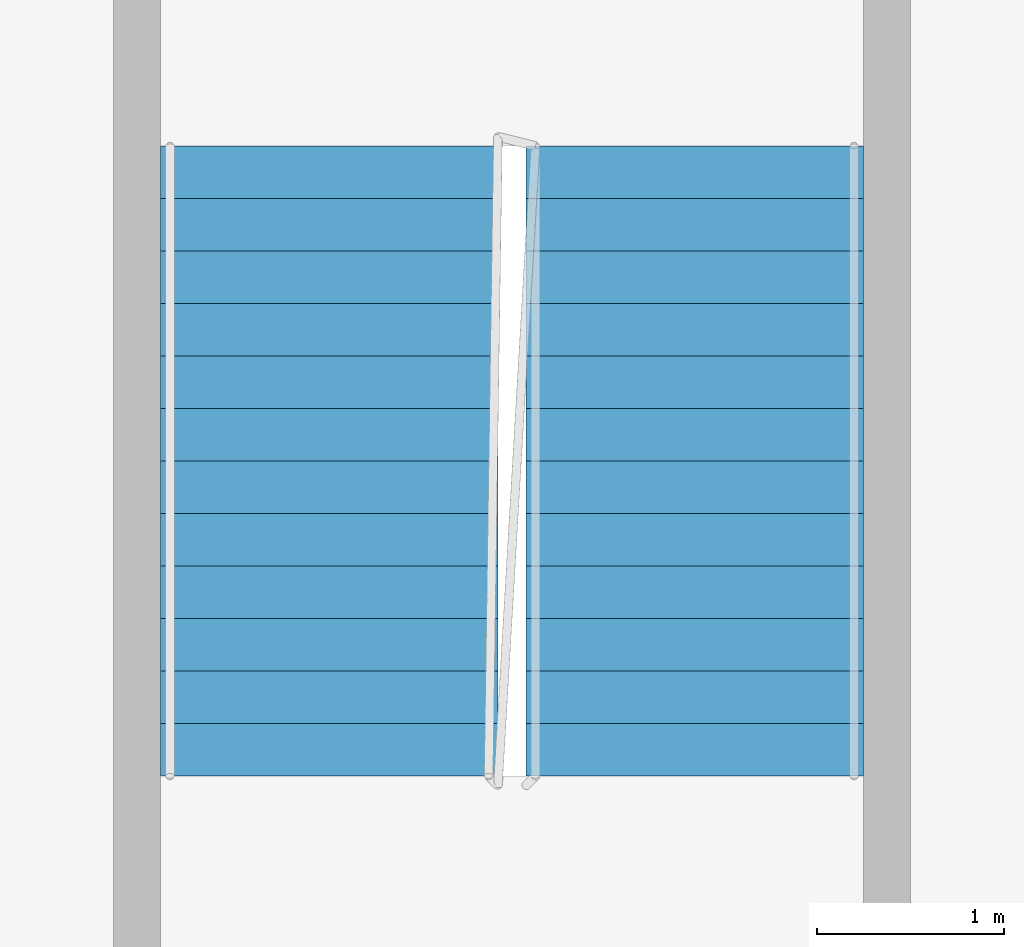
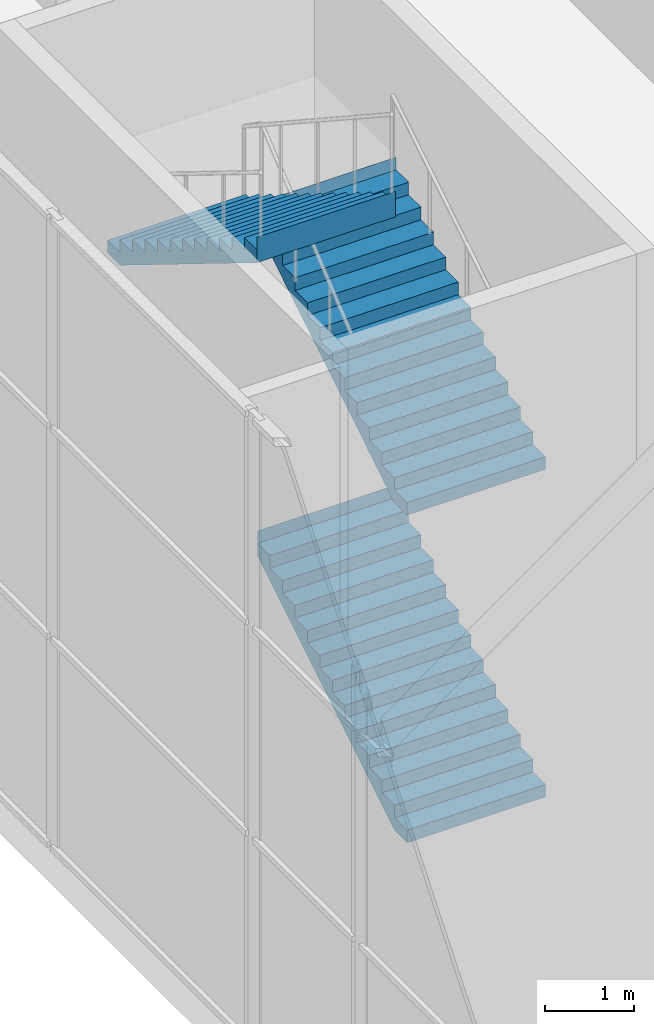
# One storey, part 16 of 24: 3 stair flights, 1 element without a shape of its own.
"""IFC4 building model written with IfcOpenShell, lengths in metres."""

import ifcopenshell
import ifcopenshell.guid

model = None  # the IFC model being written
_history = None  # IfcOwnerHistory: only IFC2X3 demands one
_inside = {}  # id of a spatial element -> (the spatial element, [elements in it])
_under = {}  # id of a project, library or spatial element -> (it, [spatial elements below it])
_declared = {}  # id of a project -> (the project, [libraries it declares])
_typed = {}  # id of a type object -> (the type object, [elements of that type])
_made_of = {}  # id of a material, layer set ... -> (it, [elements and type objects made of it])


def new_model(schema):
    """Start an empty IFC model of exactly this schema.

    Asked for "IFC4X3", IfcOpenShell would pick the latest addendum, in which some entities
    have other attributes; the version numbers below select the first issue.
    IFC2X3 requires an IfcOwnerHistory on every rooted entity: one is made here for all.
    """
    global model, _history
    if schema == "IFC4X3":
        model = ifcopenshell.file(schema_version=(4, 3, 0, 0))
    else:
        model = ifcopenshell.file(schema=schema)
    _inside.clear()
    _under.clear()
    _declared.clear()
    _typed.clear()
    _made_of.clear()
    _history = None
    if model.schema == "IFC2X3":
        org = make("IfcOrganization", Name="unknown")
        user = make(
            "IfcPersonAndOrganization",
            ThePerson=make("IfcPerson", FamilyName="unknown"),
            TheOrganization=org,
        )
        app = make(
            "IfcApplication",
            ApplicationDeveloper=org,
            Version="unknown",
            ApplicationFullName="unknown",
            ApplicationIdentifier="unknown",
        )
        _history = make(
            "IfcOwnerHistory",
            OwningUser=user,
            OwningApplication=app,
            ChangeAction="ADDED",
            CreationDate=0,
        )
    return model


def make(cls, **values):
    """One entity of the class cls with the attributes given. An attribute that is None is left unset."""
    return model.create_entity(
        cls, **{name: value for name, value in values.items() if value is not None}
    )


def rooted(cls, **values):
    """An entity with a GlobalId (a new one), such as an element, a storey or a relation."""
    return make(cls, GlobalId=ifcopenshell.guid.new(), OwnerHistory=_history, **values)


def si_unit(unit_type, name, prefix=None):
    """IfcSIUnit, for example si_unit("LENGTHUNIT", "METRE", prefix="MILLI")."""
    return make("IfcSIUnit", UnitType=unit_type, Prefix=prefix, Name=name)


def assignment(units):
    """IfcUnitAssignment: the units of a project."""
    return None if units is None else make("IfcUnitAssignment", Units=units)


def point(xyz):
    """IfcCartesianPoint."""
    return None if xyz is None else make("IfcCartesianPoint", Coordinates=xyz)


def direction(xyz):
    """IfcDirection."""
    return None if xyz is None else make("IfcDirection", DirectionRatios=xyz)


def frame(location, z_axis=None, x_axis=None):
    """IfcAxis2Placement3D, a coordinate frame: its origin and axes. An axis left out is left unset."""
    return make(
        "IfcAxis2Placement3D",
        Location=point(location),
        Axis=direction(z_axis),
        RefDirection=direction(x_axis),
    )


def origin():
    """The frame at (0, 0, 0) with its axes left unset."""
    return frame((0.0, 0.0, 0.0))


def place(relative_to, where):
    """IfcLocalPlacement: puts the frame where relative to a parent placement (None: the world)."""
    return make(
        "IfcLocalPlacement", PlacementRelTo=relative_to, RelativePlacement=where
    )


def context(
    kind, dimensions, precision=None, world=None, true_north=None, identifier=None
):
    """IfcGeometricRepresentationContext, for example the 3D "Model" context."""
    return make(
        "IfcGeometricRepresentationContext",
        ContextIdentifier=identifier,
        ContextType=kind,
        CoordinateSpaceDimension=dimensions,
        Precision=precision,
        WorldCoordinateSystem=world,
        TrueNorth=true_north,
    )


def subcontext(parent, identifier, kind, view, scale=None):
    """IfcGeometricRepresentationSubContext, for example "Body" below "Model"."""
    return make(
        "IfcGeometricRepresentationSubContext",
        ContextIdentifier=identifier,
        ContextType=kind,
        ParentContext=parent,
        TargetScale=scale,
        TargetView=view,
    )


def project(units=None, contexts=None):
    """IfcProject with its units and contexts."""
    return rooted(
        "IfcProject",
        Name="project",
        RepresentationContexts=contexts,
        UnitsInContext=assignment(units),
    )


def spatial(cls, under=None, at=None, **own):
    """A site, building, storey or space (cls), placed at a placement, below another one or the project."""
    s = rooted(cls, ObjectPlacement=at, **own)
    if under is not None:
        _under.setdefault(under.id(), (under, []))[1].append(s)
    return s


def faces_of(points, faces, orient=None, outer=None):
    """IfcFace entities. A face is a list of loops; a loop is a list of indices into points, from 0.

    orient and outer hold one flag for each loop. By default every Orientation is true, the
    first loop of a face is its IfcFaceOuterBound and the others are IfcFaceBound.
    """
    made = []
    for i, loops in enumerate(faces):
        bounds = []
        for j, loop in enumerate(loops):
            is_outer = j == 0 if outer is None else outer[i][j]
            bounds.append(
                make(
                    "IfcFaceOuterBound" if is_outer else "IfcFaceBound",
                    Bound=make("IfcPolyLoop", Polygon=[points[k] for k in loop]),
                    Orientation=True if orient is None else orient[i][j],
                )
            )
        made.append(make("IfcFace", Bounds=bounds))
    return made


def faceted_brep(points, faces, orient=None, outer=None, voids=None):
    """IfcFacetedBrep: a solid bounded by flat faces; with voids (closed shells), ...WithVoids."""
    shared = [point(p) for p in points]
    hull = make("IfcClosedShell", CfsFaces=faces_of(shared, faces, orient, outer))
    if voids is None:
        return make("IfcFacetedBrep", Outer=hull)
    return make(
        "IfcFacetedBrepWithVoids",
        Outer=hull,
        Voids=[
            make(cls, CfsFaces=faces_of(shared, fs, o, b)) for cls, fs, o, b in voids
        ],
    )


def shape(context_of_items, identifier, shape_type, items):
    """IfcShapeRepresentation: the items that make up one representation, for example the "Body"."""
    return make(
        "IfcShapeRepresentation",
        ContextOfItems=context_of_items,
        RepresentationIdentifier=identifier,
        RepresentationType=shape_type,
        Items=items,
    )


def material(Name=None, Category=None):
    """IfcMaterial."""
    return make("IfcMaterial", Name=Name, Category=Category)


def made_of(thing, what):
    """Note that an element or type object is made of a material, layer set ...; save() writes the relation."""
    if what is not None:
        _made_of.setdefault(what.id(), (what, []))[1].append(thing)
    return thing


def type_object(cls, material=None, **own):
    """A type object (cls), such as IfcWallType, which elements share."""
    return made_of(rooted(cls, **own), material)


def element(
    cls,
    number,
    at=None,
    inside=None,
    cuts=None,
    type_object=None,
    material=None,
    context=None,
    identifier="Body",
    shape_type=None,
    held_by="IfcProductDefinitionShape",
    body=None,
    shapes=None,
    **own,
):
    """One element of the class cls, such as IfcWall. Its Tag is "e" and its number.

    at: its placement. inside: the storey or other place that contains it. cuts: it is an
    opening in that element (IfcRelVoidsElement). A single representation is given by context,
    identifier, shape_type and body (its items); several are given by shapes. held_by: the class
    of the entity that holds the representations. save() writes the other relations.
    """
    e = rooted(cls, Tag="e%d" % number, ObjectPlacement=at, **own)
    if body is not None:
        shapes = [shape(context, identifier, shape_type, body)]
    if shapes is not None:
        e.Representation = make(held_by, Representations=shapes)
    if inside is not None:
        _inside.setdefault(inside.id(), (inside, []))[1].append(e)
    if cuts is not None:
        rooted(
            "IfcRelVoidsElement", RelatingBuildingElement=cuts, RelatedOpeningElement=e
        )
    if type_object is not None:
        _typed.setdefault(type_object.id(), (type_object, []))[1].append(e)
    return made_of(e, material)


def aggregate(whole, parts):
    """IfcRelAggregates: a whole, such as a stair, and the parts it consists of."""
    return rooted("IfcRelAggregates", RelatingObject=whole, RelatedObjects=parts)


def save(model, path):
    """Write the relations noted so far, then the file.

    IfcRelAggregates (storeys below a building ...), IfcRelContainedInSpatialStructure (elements
    in a storey), IfcRelDefinesByType, IfcRelAssociatesMaterial and IfcRelDeclares: one each for
    every whole, place, type object, material and project.
    """
    for whole, parts in _under.values():
        aggregate(whole, parts)
    for where, things in _inside.values():
        rooted(
            "IfcRelContainedInSpatialStructure",
            RelatedElements=things,
            RelatingStructure=where,
        )
    for kind, things in _typed.values():
        rooted("IfcRelDefinesByType", RelatedObjects=things, RelatingType=kind)
    for what, things in _made_of.values():
        rooted("IfcRelAssociatesMaterial", RelatedObjects=things, RelatingMaterial=what)
    for by, libraries in _declared.values():
        rooted("IfcRelDeclares", RelatingContext=by, RelatedDefinitions=libraries)
    model.write(path)


model = new_model("IFC4")

# Units and contexts
model_context = context("Model", 3, precision=1e-05, world=origin(), true_north=direction((0.0, 1.0)))
body_context = subcontext(model_context, "Body", "Model", "MODEL_VIEW")
ifc_project = project(units=[si_unit("LENGTHUNIT", "METRE"), si_unit("AREAUNIT", "SQUARE_METRE"), si_unit("VOLUMEUNIT", "CUBIC_METRE"), si_unit("PLANEANGLEUNIT", "RADIAN"), si_unit("MASSUNIT", "GRAM", prefix="KILO")], contexts=[model_context])

# Site, building, storey
site_placement = place(None, origin())
site = spatial("IfcSite", under=ifc_project, at=site_placement, CompositionType="ELEMENT")
building_placement = place(site_placement, origin())
building = spatial("IfcBuilding", under=site, at=building_placement, Name="Kajstack Hotel Tower", CompositionType="ELEMENT")
storey_placement = place(building_placement, frame((0.0, 0.0, 38.0)))
storey = spatial("IfcBuildingStorey", under=building, at=storey_placement, Name="L06", CompositionType="ELEMENT", Elevation=38.0)

# Stair, stair flights
ifc_material = material(Name="Concrete C40/50", Category="concrete")
stair_type = type_object("IfcStairType", Name="Escape stair 1800", PredefinedType="HALF_TURN_STAIR", material=ifc_material)
stair_placement = place(storey_placement, origin())
stair = element("IfcStair", 1, at=stair_placement, inside=storey, type_object=stair_type, Name="L06 stair P1", PredefinedType="HALF_TURN_STAIR")
stair_flight_type = type_object("IfcStairFlightType", Name="Escape stair flight 1800", PredefinedType="STRAIGHT", material=ifc_material)
stair_flight_1_placement = place(storey_placement, frame((-40.550048828125, 3.800048828125, 0.0), z_axis=(0.0, 0.0, 1.0), x_axis=(0.0, 1.0, 0.0)))
stair_flight_1 = element("IfcStairFlight", 2, at=stair_flight_1_placement, type_object=stair_flight_type, Name="P1 flight 1", NumberOfRisers=13, NumberOfTreads=12, PredefinedType="STRAIGHT", RiserHeight=0.173076923, TreadLength=0.28, context=body_context, shape_type="Brep", body=[
    faceted_brep([(0.28564453125, -0.89990234375, 0.0), (3.360595703125, -0.89990234375, 1.900634765625), (3.360595703125, -0.89990234375, 2.25), (3.360107421875, -0.89990234375, 2.25), (3.360107421875, -0.89990234375, 2.076904296875), (3.080078125, -0.89990234375, 2.076904296875), (3.080078125, -0.89990234375, 1.90380859375), (2.800048828125, -0.89990234375, 1.90380859375), (2.800048828125, -0.89990234375, 1.730712890625), (2.52001953125, -0.89990234375, 1.730712890625), (2.52001953125, -0.89990234375, 1.5576171875), (2.239990234375, -0.89990234375, 1.5576171875), (2.239990234375, -0.89990234375, 1.384521484375), (1.9599609375, -0.89990234375, 1.384521484375), (1.9599609375, -0.89990234375, 1.21142578125), (1.679931640625, -0.89990234375, 1.21142578125), (1.679931640625, -0.89990234375, 1.03857421875), (1.39990234375, -0.89990234375, 1.03857421875), (1.39990234375, -0.89990234375, 0.865478515625), (1.1201171875, -0.89990234375, 0.865478515625), (1.1201171875, -0.89990234375, 0.6923828125), (0.840087890625, -0.89990234375, 0.6923828125), (0.840087890625, -0.89990234375, 0.519287109375), (0.56005859375, -0.89990234375, 0.519287109375), (0.56005859375, -0.89990234375, 0.34619140625), (0.280029296875, -0.89990234375, 0.34619140625), (0.280029296875, -0.89990234375, 0.173095703125), (-0.00048828125, -0.89990234375, 0.173095703125), (-0.00048828125, -0.89990234375, 0.0), (-0.00048828125, 0.89990234375, 0.0), (-0.00048828125, 0.89990234375, 0.173095703125), (0.280029296875, 0.89990234375, 0.173095703125), (0.280029296875, 0.89990234375, 0.34619140625), (0.56005859375, 0.89990234375, 0.34619140625), (0.56005859375, 0.89990234375, 0.519287109375), (0.840087890625, 0.89990234375, 0.519287109375), (0.840087890625, 0.89990234375, 0.6923828125), (1.1201171875, 0.89990234375, 0.6923828125), (1.1201171875, 0.89990234375, 0.865478515625), (1.39990234375, 0.89990234375, 0.865478515625), (1.39990234375, 0.89990234375, 1.03857421875), (1.679931640625, 0.89990234375, 1.03857421875), (1.679931640625, 0.89990234375, 1.21142578125), (1.9599609375, 0.89990234375, 1.21142578125), (1.9599609375, 0.89990234375, 1.384521484375), (2.239990234375, 0.89990234375, 1.384521484375), (2.239990234375, 0.89990234375, 1.5576171875), (2.52001953125, 0.89990234375, 1.5576171875), (2.52001953125, 0.89990234375, 1.730712890625), (2.800048828125, 0.89990234375, 1.730712890625), (2.800048828125, 0.89990234375, 1.90380859375), (3.080078125, 0.89990234375, 1.90380859375), (3.080078125, 0.89990234375, 2.076904296875), (3.360107421875, 0.89990234375, 2.076904296875), (3.360107421875, 0.89990234375, 2.25), (3.360595703125, 0.89990234375, 2.25), (3.360595703125, 0.89990234375, 1.900634765625), (0.28564453125, 0.89990234375, 0.0), (-0.00048828125, -0.449951171875, 0.173095703125), (-0.00048828125, 0.0, 0.173095703125), (-0.00048828125, 0.449951171875, 0.173095703125), (-0.00048828125, 0.449951171875, 0.0), (-0.00048828125, 0.0, 0.0), (-0.00048828125, -0.449951171875, 0.0), (0.280029296875, -0.449951171875, 0.173095703125), (0.280029296875, 0.0, 0.173095703125), (0.280029296875, 0.449951171875, 0.173095703125), (0.280029296875, -0.449951171875, 0.34619140625), (0.280029296875, 0.0, 0.34619140625), (0.280029296875, 0.449951171875, 0.34619140625), (0.56005859375, -0.449951171875, 0.34619140625), (0.56005859375, 0.0, 0.34619140625), (0.56005859375, 0.449951171875, 0.34619140625), (0.56005859375, -0.449951171875, 0.519287109375), (0.56005859375, 0.0, 0.519287109375), (0.56005859375, 0.449951171875, 0.519287109375), (0.840087890625, -0.449951171875, 0.519287109375), (0.840087890625, 0.0, 0.519287109375), (0.840087890625, 0.449951171875, 0.519287109375), (0.840087890625, -0.449951171875, 0.6923828125), (0.840087890625, 0.0, 0.6923828125), (0.840087890625, 0.449951171875, 0.6923828125), (1.1201171875, -0.449951171875, 0.6923828125), (1.1201171875, 0.0, 0.6923828125), (1.1201171875, 0.449951171875, 0.6923828125), (1.1201171875, -0.449951171875, 0.865478515625), (1.1201171875, 0.0, 0.865478515625), (1.1201171875, 0.449951171875, 0.865478515625), (1.39990234375, -0.449951171875, 0.865478515625), (1.39990234375, 0.0, 0.865478515625), (1.39990234375, 0.449951171875, 0.865478515625), (1.39990234375, -0.449951171875, 1.03857421875), (1.39990234375, 0.0, 1.03857421875), (1.39990234375, 0.449951171875, 1.03857421875), (1.679931640625, -0.449951171875, 1.03857421875), (1.679931640625, 0.0, 1.03857421875), (1.679931640625, 0.449951171875, 1.03857421875), (1.679931640625, -0.449951171875, 1.21142578125), (1.679931640625, 0.0, 1.21142578125), (1.679931640625, 0.449951171875, 1.21142578125), (1.9599609375, -0.449951171875, 1.21142578125), (1.9599609375, 0.0, 1.21142578125), (1.9599609375, 0.449951171875, 1.21142578125), (1.9599609375, -0.449951171875, 1.384521484375), (1.9599609375, 0.0, 1.384521484375), (1.9599609375, 0.449951171875, 1.384521484375), (2.239990234375, -0.449951171875, 1.384521484375), (2.239990234375, 0.0, 1.384521484375), (2.239990234375, 0.449951171875, 1.384521484375), (2.239990234375, -0.449951171875, 1.5576171875), (2.239990234375, 0.0, 1.5576171875), (2.239990234375, 0.449951171875, 1.5576171875), (2.52001953125, -0.449951171875, 1.5576171875), (2.52001953125, 0.0, 1.5576171875), (2.52001953125, 0.449951171875, 1.5576171875), (2.52001953125, -0.449951171875, 1.730712890625), (2.52001953125, 0.0, 1.730712890625), (2.52001953125, 0.449951171875, 1.730712890625), (2.800048828125, -0.449951171875, 1.730712890625), (2.800048828125, 0.0, 1.730712890625), (2.800048828125, 0.449951171875, 1.730712890625), (2.800048828125, -0.449951171875, 1.90380859375), (2.800048828125, 0.0, 1.90380859375), (2.800048828125, 0.449951171875, 1.90380859375), (3.080078125, -0.449951171875, 1.90380859375), (3.080078125, 0.0, 1.90380859375), (3.080078125, 0.449951171875, 1.90380859375), (3.080078125, -0.449951171875, 2.076904296875), (3.080078125, 0.0, 2.076904296875), (3.080078125, 0.449951171875, 2.076904296875), (3.360107421875, -0.449951171875, 2.076904296875), (3.360107421875, 0.0, 2.076904296875), (3.360107421875, 0.449951171875, 2.076904296875), (3.360107421875, -0.449951171875, 2.25), (3.360107421875, 0.0, 2.25), (3.360107421875, 0.449951171875, 2.25), (3.360595703125, -0.449951171875, 2.25), (3.360595703125, 0.0, 2.25), (3.360595703125, 0.449951171875, 2.25), (3.360595703125, -0.449951171875, 1.900634765625), (3.360595703125, 0.0, 1.900634765625), (3.360595703125, 0.449951171875, 1.900634765625), (0.28564453125, -0.449951171875, 0.0), (0.28564453125, 0.0, 0.0), (0.28564453125, 0.449951171875, 0.0)], [[[0, 1, 2, 3, 4, 5, 6, 7, 8, 9, 10, 11, 12, 13, 14, 15, 16, 17, 18, 19, 20, 21, 22, 23, 24, 25, 26, 27, 28]], [[29, 30, 31, 32, 33, 34, 35, 36, 37, 38, 39, 40, 41, 42, 43, 44, 45, 46, 47, 48, 49, 50, 51, 52, 53, 54, 55, 56, 57]], [[27, 58, 59, 60, 30, 29, 61, 62, 63, 28]], [[26, 64, 65, 66, 31, 30, 60, 59, 58, 27]], [[25, 67, 68, 69, 32, 31, 66, 65, 64, 26]], [[24, 70, 71, 72, 33, 32, 69, 68, 67, 25]], [[23, 73, 74, 75, 34, 33, 72, 71, 70, 24]], [[22, 76, 77, 78, 35, 34, 75, 74, 73, 23]], [[21, 79, 80, 81, 36, 35, 78, 77, 76, 22]], [[20, 82, 83, 84, 37, 36, 81, 80, 79, 21]], [[19, 85, 86, 87, 38, 37, 84, 83, 82, 20]], [[18, 88, 89, 90, 39, 38, 87, 86, 85, 19]], [[17, 91, 92, 93, 40, 39, 90, 89, 88, 18]], [[16, 94, 95, 96, 41, 40, 93, 92, 91, 17]], [[15, 97, 98, 99, 42, 41, 96, 95, 94, 16]], [[14, 100, 101, 102, 43, 42, 99, 98, 97, 15]], [[13, 103, 104, 105, 44, 43, 102, 101, 100, 14]], [[12, 106, 107, 108, 45, 44, 105, 104, 103, 13]], [[11, 109, 110, 111, 46, 45, 108, 107, 106, 12]], [[10, 112, 113, 114, 47, 46, 111, 110, 109, 11]], [[9, 115, 116, 117, 48, 47, 114, 113, 112, 10]], [[8, 118, 119, 120, 49, 48, 117, 116, 115, 9]], [[7, 121, 122, 123, 50, 49, 120, 119, 118, 8]], [[6, 124, 125, 126, 51, 50, 123, 122, 121, 7]], [[5, 127, 128, 129, 52, 51, 126, 125, 124, 6]], [[4, 130, 131, 132, 53, 52, 129, 128, 127, 5]], [[3, 133, 134, 135, 54, 53, 132, 131, 130, 4]], [[2, 136, 137, 138, 55, 54, 135, 134, 133, 3]], [[1, 139, 140, 141, 56, 55, 138, 137, 136, 2]], [[0, 142, 143, 144, 57, 56, 141, 140, 139, 1]], [[28, 63, 62, 61, 29, 57, 144, 143, 142, 0]]]),
])
stair_flight_2_placement = place(storey_placement, frame((-40.550048828125, 3.800048828125, 4.5), z_axis=(0.0, 0.0, 1.0), x_axis=(0.0, 1.0, 0.0)))
stair_flight_2 = element("IfcStairFlight", 3, at=stair_flight_2_placement, type_object=stair_flight_type, Name="P1 flight 3", NumberOfRisers=13, NumberOfTreads=12, PredefinedType="STRAIGHT", RiserHeight=0.173076923, TreadLength=0.28, context=body_context, shape_type="Brep", body=[
    faceted_brep([(0.28564453125, -0.89990234375, 0.0), (3.360595703125, -0.89990234375, 1.900634765625), (3.360595703125, -0.89990234375, 2.25), (3.360107421875, -0.89990234375, 2.25), (3.360107421875, -0.89990234375, 2.076904296875), (3.080078125, -0.89990234375, 2.076904296875), (3.080078125, -0.89990234375, 1.90380859375), (2.800048828125, -0.89990234375, 1.90380859375), (2.800048828125, -0.89990234375, 1.730712890625), (2.52001953125, -0.89990234375, 1.730712890625), (2.52001953125, -0.89990234375, 1.5576171875), (2.239990234375, -0.89990234375, 1.5576171875), (2.239990234375, -0.89990234375, 1.384521484375), (1.9599609375, -0.89990234375, 1.384521484375), (1.9599609375, -0.89990234375, 1.21142578125), (1.679931640625, -0.89990234375, 1.21142578125), (1.679931640625, -0.89990234375, 1.03857421875), (1.39990234375, -0.89990234375, 1.03857421875), (1.39990234375, -0.89990234375, 0.865478515625), (1.1201171875, -0.89990234375, 0.865478515625), (1.1201171875, -0.89990234375, 0.6923828125), (0.840087890625, -0.89990234375, 0.6923828125), (0.840087890625, -0.89990234375, 0.519287109375), (0.56005859375, -0.89990234375, 0.519287109375), (0.56005859375, -0.89990234375, 0.34619140625), (0.280029296875, -0.89990234375, 0.34619140625), (0.280029296875, -0.89990234375, 0.173095703125), (-0.00048828125, -0.89990234375, 0.173095703125), (-0.00048828125, -0.89990234375, 0.0), (-0.00048828125, 0.89990234375, 0.0), (-0.00048828125, 0.89990234375, 0.173095703125), (0.280029296875, 0.89990234375, 0.173095703125), (0.280029296875, 0.89990234375, 0.34619140625), (0.56005859375, 0.89990234375, 0.34619140625), (0.56005859375, 0.89990234375, 0.519287109375), (0.840087890625, 0.89990234375, 0.519287109375), (0.840087890625, 0.89990234375, 0.6923828125), (1.1201171875, 0.89990234375, 0.6923828125), (1.1201171875, 0.89990234375, 0.865478515625), (1.39990234375, 0.89990234375, 0.865478515625), (1.39990234375, 0.89990234375, 1.03857421875), (1.679931640625, 0.89990234375, 1.03857421875), (1.679931640625, 0.89990234375, 1.21142578125), (1.9599609375, 0.89990234375, 1.21142578125), (1.9599609375, 0.89990234375, 1.384521484375), (2.239990234375, 0.89990234375, 1.384521484375), (2.239990234375, 0.89990234375, 1.5576171875), (2.52001953125, 0.89990234375, 1.5576171875), (2.52001953125, 0.89990234375, 1.730712890625), (2.800048828125, 0.89990234375, 1.730712890625), (2.800048828125, 0.89990234375, 1.90380859375), (3.080078125, 0.89990234375, 1.90380859375), (3.080078125, 0.89990234375, 2.076904296875), (3.360107421875, 0.89990234375, 2.076904296875), (3.360107421875, 0.89990234375, 2.25), (3.360595703125, 0.89990234375, 2.25), (3.360595703125, 0.89990234375, 1.900634765625), (0.28564453125, 0.89990234375, 0.0), (-0.00048828125, -0.449951171875, 0.173095703125), (-0.00048828125, 0.0, 0.173095703125), (-0.00048828125, 0.449951171875, 0.173095703125), (-0.00048828125, 0.449951171875, 0.0), (-0.00048828125, 0.0, 0.0), (-0.00048828125, -0.449951171875, 0.0), (0.280029296875, -0.449951171875, 0.173095703125), (0.280029296875, 0.0, 0.173095703125), (0.280029296875, 0.449951171875, 0.173095703125), (0.280029296875, -0.449951171875, 0.34619140625), (0.280029296875, 0.0, 0.34619140625), (0.280029296875, 0.449951171875, 0.34619140625), (0.56005859375, -0.449951171875, 0.34619140625), (0.56005859375, 0.0, 0.34619140625), (0.56005859375, 0.449951171875, 0.34619140625), (0.56005859375, -0.449951171875, 0.519287109375), (0.56005859375, 0.0, 0.519287109375), (0.56005859375, 0.449951171875, 0.519287109375), (0.840087890625, -0.449951171875, 0.519287109375), (0.840087890625, 0.0, 0.519287109375), (0.840087890625, 0.449951171875, 0.519287109375), (0.840087890625, -0.449951171875, 0.6923828125), (0.840087890625, 0.0, 0.6923828125), (0.840087890625, 0.449951171875, 0.6923828125), (1.1201171875, -0.449951171875, 0.6923828125), (1.1201171875, 0.0, 0.6923828125), (1.1201171875, 0.449951171875, 0.6923828125), (1.1201171875, -0.449951171875, 0.865478515625), (1.1201171875, 0.0, 0.865478515625), (1.1201171875, 0.449951171875, 0.865478515625), (1.39990234375, -0.449951171875, 0.865478515625), (1.39990234375, 0.0, 0.865478515625), (1.39990234375, 0.449951171875, 0.865478515625), (1.39990234375, -0.449951171875, 1.03857421875), (1.39990234375, 0.0, 1.03857421875), (1.39990234375, 0.449951171875, 1.03857421875), (1.679931640625, -0.449951171875, 1.03857421875), (1.679931640625, 0.0, 1.03857421875), (1.679931640625, 0.449951171875, 1.03857421875), (1.679931640625, -0.449951171875, 1.21142578125), (1.679931640625, 0.0, 1.21142578125), (1.679931640625, 0.449951171875, 1.21142578125), (1.9599609375, -0.449951171875, 1.21142578125), (1.9599609375, 0.0, 1.21142578125), (1.9599609375, 0.449951171875, 1.21142578125), (1.9599609375, -0.449951171875, 1.384521484375), (1.9599609375, 0.0, 1.384521484375), (1.9599609375, 0.449951171875, 1.384521484375), (2.239990234375, -0.449951171875, 1.384521484375), (2.239990234375, 0.0, 1.384521484375), (2.239990234375, 0.449951171875, 1.384521484375), (2.239990234375, -0.449951171875, 1.5576171875), (2.239990234375, 0.0, 1.5576171875), (2.239990234375, 0.449951171875, 1.5576171875), (2.52001953125, -0.449951171875, 1.5576171875), (2.52001953125, 0.0, 1.5576171875), (2.52001953125, 0.449951171875, 1.5576171875), (2.52001953125, -0.449951171875, 1.730712890625), (2.52001953125, 0.0, 1.730712890625), (2.52001953125, 0.449951171875, 1.730712890625), (2.800048828125, -0.449951171875, 1.730712890625), (2.800048828125, 0.0, 1.730712890625), (2.800048828125, 0.449951171875, 1.730712890625), (2.800048828125, -0.449951171875, 1.90380859375), (2.800048828125, 0.0, 1.90380859375), (2.800048828125, 0.449951171875, 1.90380859375), (3.080078125, -0.449951171875, 1.90380859375), (3.080078125, 0.0, 1.90380859375), (3.080078125, 0.449951171875, 1.90380859375), (3.080078125, -0.449951171875, 2.076904296875), (3.080078125, 0.0, 2.076904296875), (3.080078125, 0.449951171875, 2.076904296875), (3.360107421875, -0.449951171875, 2.076904296875), (3.360107421875, 0.0, 2.076904296875), (3.360107421875, 0.449951171875, 2.076904296875), (3.360107421875, -0.449951171875, 2.25), (3.360107421875, 0.0, 2.25), (3.360107421875, 0.449951171875, 2.25), (3.360595703125, -0.449951171875, 2.25), (3.360595703125, 0.0, 2.25), (3.360595703125, 0.449951171875, 2.25), (3.360595703125, -0.449951171875, 1.900634765625), (3.360595703125, 0.0, 1.900634765625), (3.360595703125, 0.449951171875, 1.900634765625), (0.28564453125, -0.449951171875, 0.0), (0.28564453125, 0.0, 0.0), (0.28564453125, 0.449951171875, 0.0)], [[[0, 1, 2, 3, 4, 5, 6, 7, 8, 9, 10, 11, 12, 13, 14, 15, 16, 17, 18, 19, 20, 21, 22, 23, 24, 25, 26, 27, 28]], [[29, 30, 31, 32, 33, 34, 35, 36, 37, 38, 39, 40, 41, 42, 43, 44, 45, 46, 47, 48, 49, 50, 51, 52, 53, 54, 55, 56, 57]], [[27, 58, 59, 60, 30, 29, 61, 62, 63, 28]], [[26, 64, 65, 66, 31, 30, 60, 59, 58, 27]], [[25, 67, 68, 69, 32, 31, 66, 65, 64, 26]], [[24, 70, 71, 72, 33, 32, 69, 68, 67, 25]], [[23, 73, 74, 75, 34, 33, 72, 71, 70, 24]], [[22, 76, 77, 78, 35, 34, 75, 74, 73, 23]], [[21, 79, 80, 81, 36, 35, 78, 77, 76, 22]], [[20, 82, 83, 84, 37, 36, 81, 80, 79, 21]], [[19, 85, 86, 87, 38, 37, 84, 83, 82, 20]], [[18, 88, 89, 90, 39, 38, 87, 86, 85, 19]], [[17, 91, 92, 93, 40, 39, 90, 89, 88, 18]], [[16, 94, 95, 96, 41, 40, 93, 92, 91, 17]], [[15, 97, 98, 99, 42, 41, 96, 95, 94, 16]], [[14, 100, 101, 102, 43, 42, 99, 98, 97, 15]], [[13, 103, 104, 105, 44, 43, 102, 101, 100, 14]], [[12, 106, 107, 108, 45, 44, 105, 104, 103, 13]], [[11, 109, 110, 111, 46, 45, 108, 107, 106, 12]], [[10, 112, 113, 114, 47, 46, 111, 110, 109, 11]], [[9, 115, 116, 117, 48, 47, 114, 113, 112, 10]], [[8, 118, 119, 120, 49, 48, 117, 116, 115, 9]], [[7, 121, 122, 123, 50, 49, 120, 119, 118, 8]], [[6, 124, 125, 126, 51, 50, 123, 122, 121, 7]], [[5, 127, 128, 129, 52, 51, 126, 125, 124, 6]], [[4, 130, 131, 132, 53, 52, 129, 128, 127, 5]], [[3, 133, 134, 135, 54, 53, 132, 131, 130, 4]], [[2, 136, 137, 138, 55, 54, 135, 134, 133, 3]], [[1, 139, 140, 141, 56, 55, 138, 137, 136, 2]], [[0, 142, 143, 144, 57, 56, 141, 140, 139, 1]], [[28, 63, 62, 61, 29, 57, 144, 143, 142, 0]]]),
])
stair_flight_3_placement = place(storey_placement, frame((-42.5, 7.159912109375, 6.75), z_axis=(0.0, 0.0, 1.0), x_axis=(0.0, -1.0, 0.0)))
stair_flight_3 = element("IfcStairFlight", 4, at=stair_flight_3_placement, type_object=stair_flight_type, Name="P1 flight 4", NumberOfRisers=13, NumberOfTreads=12, PredefinedType="STRAIGHT", RiserHeight=0.173076923, TreadLength=0.28, context=body_context, shape_type="Brep", body=[
    faceted_brep([(0.28564453125, -0.89990234375, 0.0), (3.360595703125, -0.89990234375, 1.900634765625), (3.360595703125, -0.89990234375, 2.25), (3.360107421875, -0.89990234375, 2.25), (3.360107421875, -0.89990234375, 2.076904296875), (3.080078125, -0.89990234375, 2.076904296875), (3.080078125, -0.89990234375, 1.90380859375), (2.800048828125, -0.89990234375, 1.90380859375), (2.800048828125, -0.89990234375, 1.730712890625), (2.52001953125, -0.89990234375, 1.730712890625), (2.52001953125, -0.89990234375, 1.5576171875), (2.239990234375, -0.89990234375, 1.5576171875), (2.239990234375, -0.89990234375, 1.384521484375), (1.9599609375, -0.89990234375, 1.384521484375), (1.9599609375, -0.89990234375, 1.21142578125), (1.679931640625, -0.89990234375, 1.21142578125), (1.679931640625, -0.89990234375, 1.03857421875), (1.39990234375, -0.89990234375, 1.03857421875), (1.39990234375, -0.89990234375, 0.865478515625), (1.1201171875, -0.89990234375, 0.865478515625), (1.1201171875, -0.89990234375, 0.6923828125), (0.840087890625, -0.89990234375, 0.6923828125), (0.840087890625, -0.89990234375, 0.519287109375), (0.56005859375, -0.89990234375, 0.519287109375), (0.56005859375, -0.89990234375, 0.34619140625), (0.280029296875, -0.89990234375, 0.34619140625), (0.280029296875, -0.89990234375, 0.173095703125), (-0.00048828125, -0.89990234375, 0.173095703125), (-0.00048828125, -0.89990234375, 0.0), (-0.00048828125, 0.89990234375, 0.0), (-0.00048828125, 0.89990234375, 0.173095703125), (0.280029296875, 0.89990234375, 0.173095703125), (0.280029296875, 0.89990234375, 0.34619140625), (0.56005859375, 0.89990234375, 0.34619140625), (0.56005859375, 0.89990234375, 0.519287109375), (0.840087890625, 0.89990234375, 0.519287109375), (0.840087890625, 0.89990234375, 0.6923828125), (1.1201171875, 0.89990234375, 0.6923828125), (1.1201171875, 0.89990234375, 0.865478515625), (1.39990234375, 0.89990234375, 0.865478515625), (1.39990234375, 0.89990234375, 1.03857421875), (1.679931640625, 0.89990234375, 1.03857421875), (1.679931640625, 0.89990234375, 1.21142578125), (1.9599609375, 0.89990234375, 1.21142578125), (1.9599609375, 0.89990234375, 1.384521484375), (2.239990234375, 0.89990234375, 1.384521484375), (2.239990234375, 0.89990234375, 1.5576171875), (2.52001953125, 0.89990234375, 1.5576171875), (2.52001953125, 0.89990234375, 1.730712890625), (2.800048828125, 0.89990234375, 1.730712890625), (2.800048828125, 0.89990234375, 1.90380859375), (3.080078125, 0.89990234375, 1.90380859375), (3.080078125, 0.89990234375, 2.076904296875), (3.360107421875, 0.89990234375, 2.076904296875), (3.360107421875, 0.89990234375, 2.25), (3.360595703125, 0.89990234375, 2.25), (3.360595703125, 0.89990234375, 1.900634765625), (0.28564453125, 0.89990234375, 0.0), (-0.00048828125, -0.449951171875, 0.173095703125), (-0.00048828125, 0.0, 0.173095703125), (-0.00048828125, 0.449951171875, 0.173095703125), (-0.00048828125, 0.449951171875, 0.0), (-0.00048828125, 0.0, 0.0), (-0.00048828125, -0.449951171875, 0.0), (0.280029296875, -0.449951171875, 0.173095703125), (0.280029296875, 0.0, 0.173095703125), (0.280029296875, 0.449951171875, 0.173095703125), (0.280029296875, -0.449951171875, 0.34619140625), (0.280029296875, 0.0, 0.34619140625), (0.280029296875, 0.449951171875, 0.34619140625), (0.56005859375, -0.449951171875, 0.34619140625), (0.56005859375, 0.0, 0.34619140625), (0.56005859375, 0.449951171875, 0.34619140625), (0.56005859375, -0.449951171875, 0.519287109375), (0.56005859375, 0.0, 0.519287109375), (0.56005859375, 0.449951171875, 0.519287109375), (0.840087890625, -0.449951171875, 0.519287109375), (0.840087890625, 0.0, 0.519287109375), (0.840087890625, 0.449951171875, 0.519287109375), (0.840087890625, -0.449951171875, 0.6923828125), (0.840087890625, 0.0, 0.6923828125), (0.840087890625, 0.449951171875, 0.6923828125), (1.1201171875, -0.449951171875, 0.6923828125), (1.1201171875, 0.0, 0.6923828125), (1.1201171875, 0.449951171875, 0.6923828125), (1.1201171875, -0.449951171875, 0.865478515625), (1.1201171875, 0.0, 0.865478515625), (1.1201171875, 0.449951171875, 0.865478515625), (1.39990234375, -0.449951171875, 0.865478515625), (1.39990234375, 0.0, 0.865478515625), (1.39990234375, 0.449951171875, 0.865478515625), (1.39990234375, -0.449951171875, 1.03857421875), (1.39990234375, 0.0, 1.03857421875), (1.39990234375, 0.449951171875, 1.03857421875), (1.679931640625, -0.449951171875, 1.03857421875), (1.679931640625, 0.0, 1.03857421875), (1.679931640625, 0.449951171875, 1.03857421875), (1.679931640625, -0.449951171875, 1.21142578125), (1.679931640625, 0.0, 1.21142578125), (1.679931640625, 0.449951171875, 1.21142578125), (1.9599609375, -0.449951171875, 1.21142578125), (1.9599609375, 0.0, 1.21142578125), (1.9599609375, 0.449951171875, 1.21142578125), (1.9599609375, -0.449951171875, 1.384521484375), (1.9599609375, 0.0, 1.384521484375), (1.9599609375, 0.449951171875, 1.384521484375), (2.239990234375, -0.449951171875, 1.384521484375), (2.239990234375, 0.0, 1.384521484375), (2.239990234375, 0.449951171875, 1.384521484375), (2.239990234375, -0.449951171875, 1.5576171875), (2.239990234375, 0.0, 1.5576171875), (2.239990234375, 0.449951171875, 1.5576171875), (2.52001953125, -0.449951171875, 1.5576171875), (2.52001953125, 0.0, 1.5576171875), (2.52001953125, 0.449951171875, 1.5576171875), (2.52001953125, -0.449951171875, 1.730712890625), (2.52001953125, 0.0, 1.730712890625), (2.52001953125, 0.449951171875, 1.730712890625), (2.800048828125, -0.449951171875, 1.730712890625), (2.800048828125, 0.0, 1.730712890625), (2.800048828125, 0.449951171875, 1.730712890625), (2.800048828125, -0.449951171875, 1.90380859375), (2.800048828125, 0.0, 1.90380859375), (2.800048828125, 0.449951171875, 1.90380859375), (3.080078125, -0.449951171875, 1.90380859375), (3.080078125, 0.0, 1.90380859375), (3.080078125, 0.449951171875, 1.90380859375), (3.080078125, -0.449951171875, 2.076904296875), (3.080078125, 0.0, 2.076904296875), (3.080078125, 0.449951171875, 2.076904296875), (3.360107421875, -0.449951171875, 2.076904296875), (3.360107421875, 0.0, 2.076904296875), (3.360107421875, 0.449951171875, 2.076904296875), (3.360107421875, -0.449951171875, 2.25), (3.360107421875, 0.0, 2.25), (3.360107421875, 0.449951171875, 2.25), (3.360595703125, -0.449951171875, 2.25), (3.360595703125, 0.0, 2.25), (3.360595703125, 0.449951171875, 2.25), (3.360595703125, -0.449951171875, 1.900634765625), (3.360595703125, 0.0, 1.900634765625), (3.360595703125, 0.449951171875, 1.900634765625), (0.28564453125, -0.449951171875, 0.0), (0.28564453125, 0.0, 0.0), (0.28564453125, 0.449951171875, 0.0)], [[[0, 1, 2, 3, 4, 5, 6, 7, 8, 9, 10, 11, 12, 13, 14, 15, 16, 17, 18, 19, 20, 21, 22, 23, 24, 25, 26, 27, 28]], [[29, 30, 31, 32, 33, 34, 35, 36, 37, 38, 39, 40, 41, 42, 43, 44, 45, 46, 47, 48, 49, 50, 51, 52, 53, 54, 55, 56, 57]], [[27, 58, 59, 60, 30, 29, 61, 62, 63, 28]], [[26, 64, 65, 66, 31, 30, 60, 59, 58, 27]], [[25, 67, 68, 69, 32, 31, 66, 65, 64, 26]], [[24, 70, 71, 72, 33, 32, 69, 68, 67, 25]], [[23, 73, 74, 75, 34, 33, 72, 71, 70, 24]], [[22, 76, 77, 78, 35, 34, 75, 74, 73, 23]], [[21, 79, 80, 81, 36, 35, 78, 77, 76, 22]], [[20, 82, 83, 84, 37, 36, 81, 80, 79, 21]], [[19, 85, 86, 87, 38, 37, 84, 83, 82, 20]], [[18, 88, 89, 90, 39, 38, 87, 86, 85, 19]], [[17, 91, 92, 93, 40, 39, 90, 89, 88, 18]], [[16, 94, 95, 96, 41, 40, 93, 92, 91, 17]], [[15, 97, 98, 99, 42, 41, 96, 95, 94, 16]], [[14, 100, 101, 102, 43, 42, 99, 98, 97, 15]], [[13, 103, 104, 105, 44, 43, 102, 101, 100, 14]], [[12, 106, 107, 108, 45, 44, 105, 104, 103, 13]], [[11, 109, 110, 111, 46, 45, 108, 107, 106, 12]], [[10, 112, 113, 114, 47, 46, 111, 110, 109, 11]], [[9, 115, 116, 117, 48, 47, 114, 113, 112, 10]], [[8, 118, 119, 120, 49, 48, 117, 116, 115, 9]], [[7, 121, 122, 123, 50, 49, 120, 119, 118, 8]], [[6, 124, 125, 126, 51, 50, 123, 122, 121, 7]], [[5, 127, 128, 129, 52, 51, 126, 125, 124, 6]], [[4, 130, 131, 132, 53, 52, 129, 128, 127, 5]], [[3, 133, 134, 135, 54, 53, 132, 131, 130, 4]], [[2, 136, 137, 138, 55, 54, 135, 134, 133, 3]], [[1, 139, 140, 141, 56, 55, 138, 137, 136, 2]], [[0, 142, 143, 144, 57, 56, 141, 140, 139, 1]], [[28, 63, 62, 61, 29, 57, 144, 143, 142, 0]]]),
])
aggregate(stair, [stair_flight_1, stair_flight_2, stair_flight_3])

save(model, "model.ifc")
